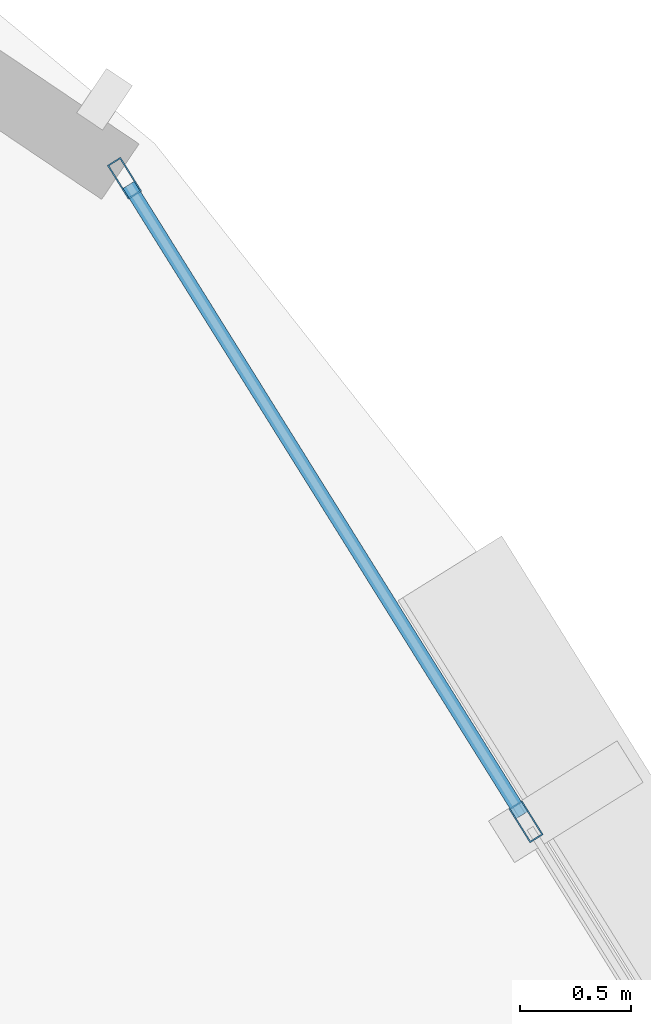
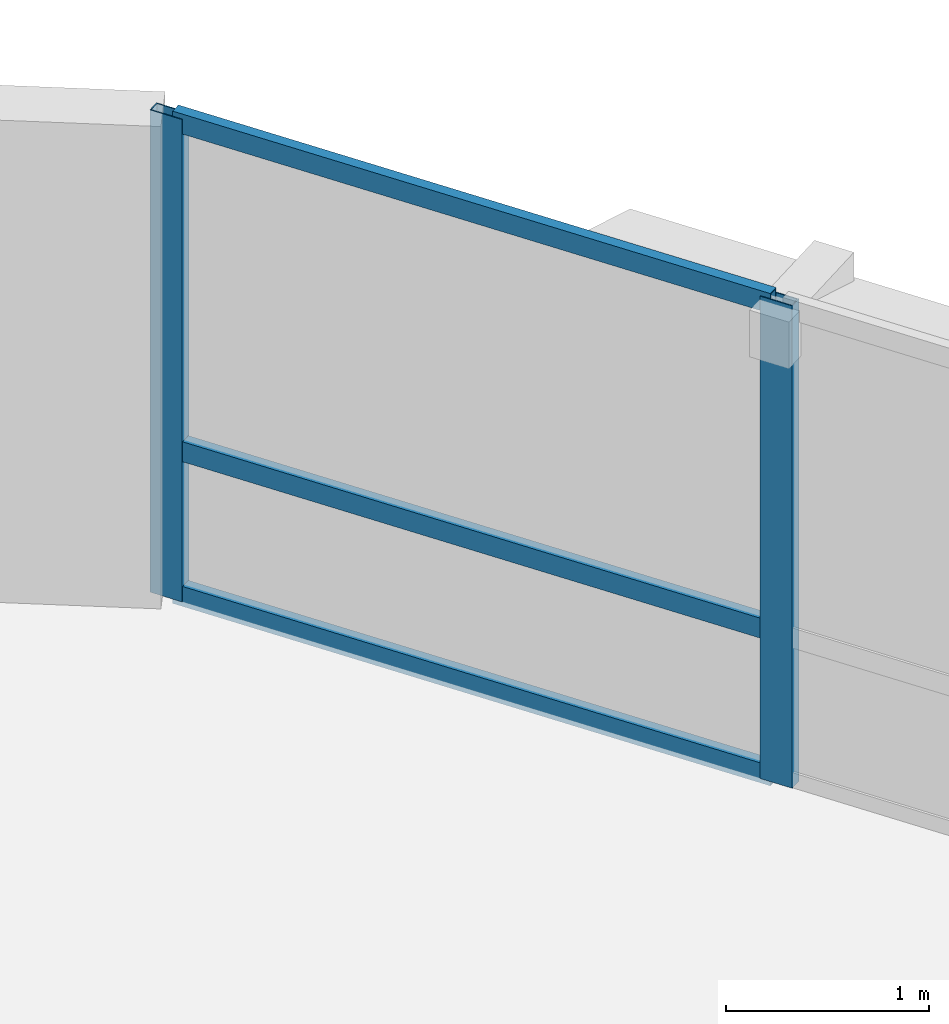
# One storey, part 8 of 15: 5 members, 1 element without a shape of its own.
"""IFC4 building model written with IfcOpenShell, lengths in metres."""

from ifc_helpers import new_model, si_unit, direction, frame, origin, origin_2d, place, context, subcontext, project, spatial, hollow_rectangle, extrude, material, layer, layer_set, material_profile, profile_set, type_object, element, aggregate, save


model = new_model("IFC4")

# Units and contexts
model_context = context("Model", 3, precision=1e-05, world=origin(), true_north=direction((0.0, 1.0)))
body_context = subcontext(model_context, "Body", "Model", "MODEL_VIEW")
ifc_project = project(units=[si_unit("LENGTHUNIT", "METRE"), si_unit("AREAUNIT", "SQUARE_METRE"), si_unit("VOLUMEUNIT", "CUBIC_METRE"), si_unit("PLANEANGLEUNIT", "RADIAN"), si_unit("MASSUNIT", "GRAM", prefix="KILO"), si_unit("THERMODYNAMICTEMPERATUREUNIT", "KELVIN"), si_unit("POWERUNIT", "WATT")], contexts=[model_context])

# Site, building, storey
site_placement = place(None, origin())
site = spatial("IfcSite", under=ifc_project, at=site_placement, CompositionType="ELEMENT")
building_placement = place(site_placement, origin())
building = spatial("IfcBuilding", under=site, at=building_placement, Name="Ocrelia Relay Tower", CompositionType="ELEMENT")
storey_placement = place(building_placement, frame((0.0, 0.0, 113.800048828125)))
storey = spatial("IfcBuildingStorey", under=building, at=storey_placement, Name="L26", CompositionType="ELEMENT", Elevation=113.800048828125)

# Curtain wall, members
ifc_material_1 = material(Name="Aluminium and solar-control low-E glass", Category="aluminium")
ifc_layer = layer(ifc_material_1, 0.179931640625, Name="Aluminium and solar-control low-E glass")
ifc_layer_set = layer_set([ifc_layer], Name="Aluminium and solar-control low-E glass")
curtain_wall_type = type_object("IfcCurtainWallType", Name="CW-SYS-Z2-SWIT", PredefinedType="NOTDEFINED", material=ifc_layer_set)
curtain_wall_placement = place(storey_placement, origin())
curtain_wall = element("IfcCurtainWall", 1, at=curtain_wall_placement, inside=storey, type_object=curtain_wall_type, Name="L26 Elliptical Tower Curtain Wall Bay 01", PredefinedType="NOTDEFINED")
ifc_material_2 = material(Name="Anodised bronze aluminium", Category="aluminium")
ifc_material_profile_1 = material_profile(ifc_material_2, hollow_rectangle(XDim=0.070068359375, YDim=0.179931640625, WallThickness=0.006103515625, at=origin_2d()), Name="CW-MUL-180x70")
ifc_profile_set_1 = profile_set([ifc_material_profile_1], Name="Anodised bronze aluminium")
member_type_1 = type_object("IfcMemberType", Name="CW-SYS-Z2-SWIT-MUL", PredefinedType="MULLION", material=ifc_profile_set_1)
member_1_placement = place(storey_placement, frame((56.384033203125, 37.25244140625, 0.0), z_axis=(0.0, 0.0, 1.0), x_axis=(-0.8483297043, -0.529468330311, 0.0)))
member_1 = element("IfcMember", 2, at=member_1_placement, type_object=member_type_1, Name="CW-Z2 mullion 2", PredefinedType="MULLION", context=body_context, shape_type="SweptSolid", body=[
    extrude(hollow_rectangle(XDim=0.070068359375, YDim=0.179931640625, WallThickness=0.006103515625, at=origin_2d()), origin(), (0.0, 0.0, 1.0), 2.89990234375),
])
member_2_placement = place(storey_placement, frame((54.58154296875, 40.140625, 0.0), z_axis=(0.0, 0.0, 1.0), x_axis=(-0.8483297043, -0.529468330311, 0.0)))
member_2 = element("IfcMember", 3, at=member_2_placement, type_object=member_type_1, Name="CW-Z2 mullion 3", PredefinedType="MULLION", context=body_context, shape_type="SweptSolid", body=[
    extrude(hollow_rectangle(XDim=0.070068359375, YDim=0.179931640625, WallThickness=0.006103515625, at=origin_2d()), origin(), (0.0, 0.0, 1.0), 2.89990234375),
])
ifc_material_profile_2 = material_profile(ifc_material_2, hollow_rectangle(XDim=0.06005859375, YDim=0.1201171875, WallThickness=0.0048828125, at=origin_2d()), Name="CW-TRN-120x60")
ifc_profile_set_2 = profile_set([ifc_material_profile_2], Name="Anodised bronze aluminium")
member_type_2 = type_object("IfcMemberType", Name="CW-SYS-Z2-SWIT-TRN", PredefinedType="USERDEFINED", material=ifc_profile_set_2)
member_3_placement = place(storey_placement, frame((56.36572265625, 37.281982421875, 0.030029296875), z_axis=(-0.529478943353, 0.848323080286, 0.0), x_axis=(-0.848323080286, -0.529478943353, 0.0)))
member_3 = element("IfcMember", 4, at=member_3_placement, type_object=member_type_2, Name="CW-Z2 transom 2.1", ObjectType="TRANSOM", PredefinedType="USERDEFINED", context=body_context, shape_type="SweptSolid", body=[
    extrude(hollow_rectangle(XDim=0.06005859375, YDim=0.1201171875, WallThickness=0.0048828125, at=origin_2d()), origin(), (0.0, 0.0, 1.0), 3.334716796875),
])
member_4_placement = place(storey_placement, frame((56.36572265625, 37.281982421875, 0.89990234375), z_axis=(-0.529478943353, 0.848323080286, 0.0), x_axis=(-0.848323080286, -0.529478943353, 0.0)))
member_4 = element("IfcMember", 5, at=member_4_placement, type_object=member_type_2, Name="CW-Z2 transom 2.2", ObjectType="TRANSOM", PredefinedType="USERDEFINED", context=body_context, shape_type="SweptSolid", body=[
    extrude(hollow_rectangle(XDim=0.06005859375, YDim=0.1201171875, WallThickness=0.0048828125, at=origin_2d()), origin(), (0.0, 0.0, 1.0), 3.334716796875),
])
member_5_placement = place(storey_placement, frame((56.36572265625, 37.281982421875, 2.869873046875), z_axis=(-0.529478943353, 0.848323080286, 0.0), x_axis=(-0.848323080286, -0.529478943353, 0.0)))
member_5 = element("IfcMember", 6, at=member_5_placement, type_object=member_type_2, Name="CW-Z2 transom 2.3", ObjectType="TRANSOM", PredefinedType="USERDEFINED", context=body_context, shape_type="SweptSolid", body=[
    extrude(hollow_rectangle(XDim=0.06005859375, YDim=0.1201171875, WallThickness=0.0048828125, at=origin_2d()), origin(), (0.0, 0.0, 1.0), 3.334716796875),
])
aggregate(curtain_wall, [member_1, member_2, member_3, member_4, member_5])

save(model, "model.ifc")
